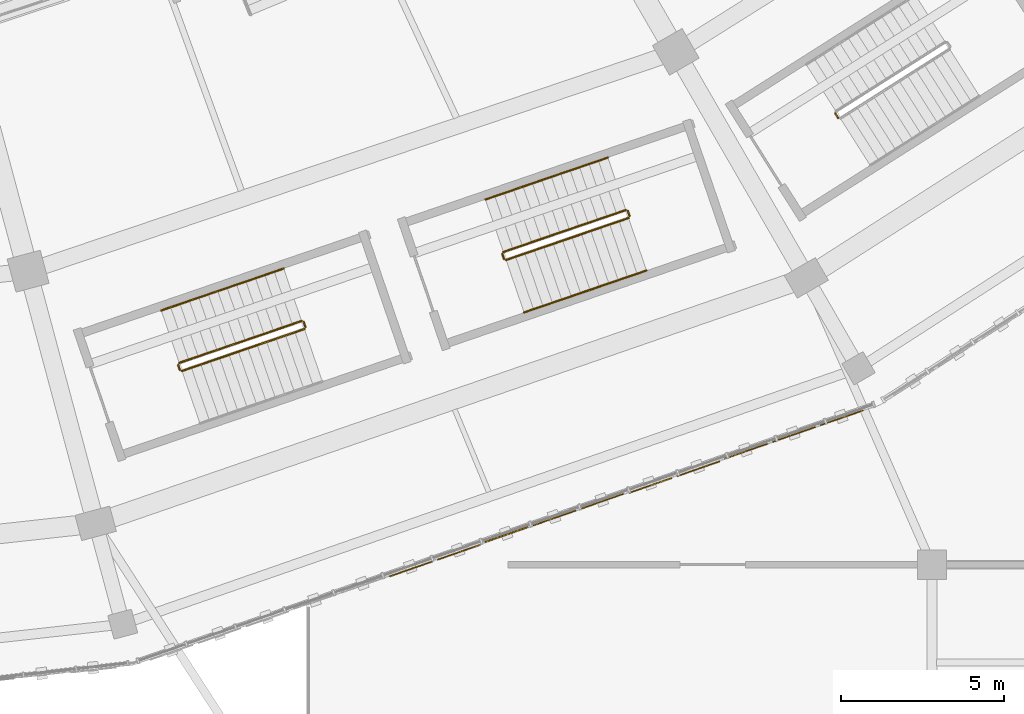
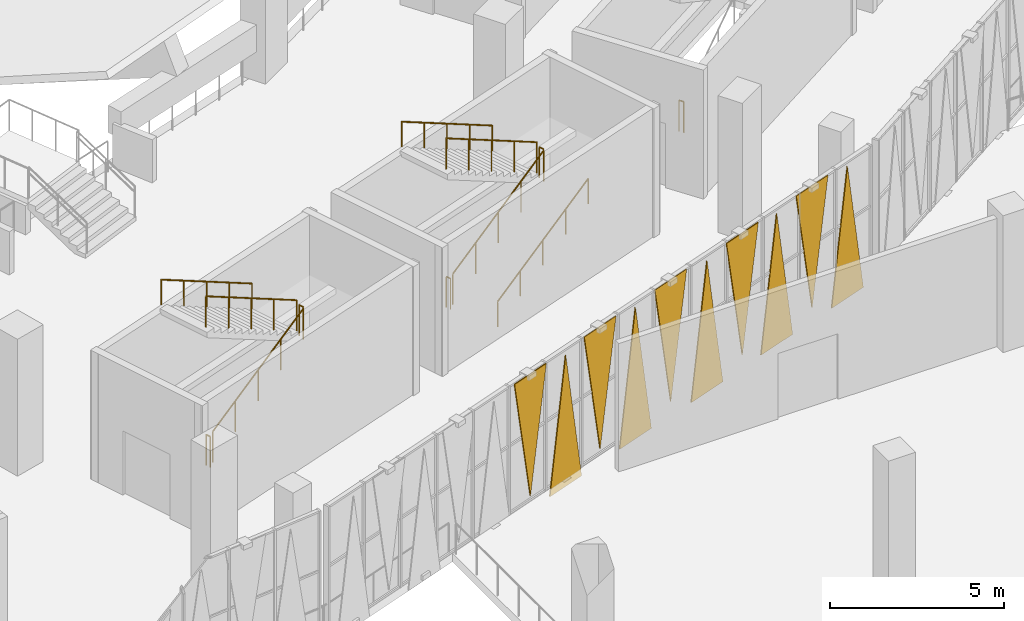
# One storey, part 144 of 183: 12 railings, 10 coverings.
"""IFC4 building model written with IfcOpenShell, lengths in metres."""

from ifc_helpers import new_model, si_unit, direction, frame, origin, origin_2d, place, context, subcontext, project, spatial, polyline, circle, outline, extrude, material, layer, layer_set, type_object, element, save


model = new_model("IFC4")

# Units and contexts
model_context = context("Model", 3, precision=1e-05, world=origin(), true_north=direction((0.0, 1.0)))
body_context = subcontext(model_context, "Body", "Model", "MODEL_VIEW")
ifc_project = project(units=[si_unit("LENGTHUNIT", "METRE"), si_unit("AREAUNIT", "SQUARE_METRE"), si_unit("VOLUMEUNIT", "CUBIC_METRE"), si_unit("PLANEANGLEUNIT", "RADIAN"), si_unit("MASSUNIT", "GRAM", prefix="KILO")], contexts=[model_context])

# Site, building, storey
site_placement = place(None, origin())
site = spatial("IfcSite", under=ifc_project, at=site_placement, CompositionType="ELEMENT")
building_placement = place(site_placement, origin())
building = spatial("IfcBuilding", under=site, at=building_placement, Name="Zevraka Park Crest Stadium", CompositionType="ELEMENT")
storey_placement = place(building_placement, frame((0.0, 0.0, 5.39990234375)))
storey = spatial("IfcBuildingStorey", under=building, at=storey_placement, Name="L01", CompositionType="ELEMENT", Elevation=5.39990234375)

# Coverings
ifc_material_1 = material(Name="Architectural golden-bronze perforated aluminium", Category="aluminium")
ifc_layer = layer(ifc_material_1, 0.034912109375)
ifc_layer_set = layer_set([ifc_layer], Name="Architectural golden-bronze perforated aluminium")
covering_type = type_object("IfcCoveringType", Name="CLD01", PredefinedType="CLADDING", material=ifc_layer_set)
covering_1_placement = place(storey_placement, frame((145.69091796875, 18.111083984375, 4.5), z_axis=(-0.329335834581, 0.94421284489, 0.000107725367), x_axis=(-0.944212850369, -0.329335836492, 0.0)))
element("IfcCovering", 1, at=covering_1_placement, inside=storey, type_object=covering_type, Name="Triangular Golden-Bronze Perforated Cladding L01-19-6", PredefinedType="CLADDING", context=body_context, shape_type="SweptSolid", body=[
    extrude(outline(polyline([(0.0, 0.0), (1.3936666592027187, 0.0), (0.696672521087447, -4.2797851810829295), (0.0, 0.0)])), origin(), (0.0, 0.0, -1.0), 0.034912109375),
])
covering_2_placement = place(storey_placement, frame((145.842041015625, 18.1640625, -0.260009765625), z_axis=(-0.329118074721, 0.944288773961, 6.5297813e-05), x_axis=(0.944288775974, 0.329118075423, 0.0)))
element("IfcCovering", 2, at=covering_2_placement, inside=storey, type_object=covering_type, Name="Triangular Golden-Bronze Perforated Cladding L01-19-7", PredefinedType="CLADDING", context=body_context, shape_type="SweptSolid", body=[
    extrude(outline(polyline([(0.0, 0.0), (1.394588779149717, 3.3881317890172014e-21), (0.6966726088857, -4.600097666056959), (0.0, 0.0)])), origin(), (0.0, 0.0, -1.0), 0.034912109375),
])
covering_3_placement = place(storey_placement, frame((148.6259765625, 19.135009765625, 4.5), z_axis=(0.329960333753, -0.943994797734, 0.0), x_axis=(-0.943994797734, -0.329960333753, 0.0)))
element("IfcCovering", 3, at=covering_3_placement, inside=storey, type_object=covering_type, Name="Triangular Golden-Bronze Perforated Cladding L01-19-8", PredefinedType="CLADDING", context=body_context, shape_type="SweptSolid", body=[
    extrude(outline(polyline([(0.0, 0.0), (1.3939885811960602, 0.0), (0.6969942905980301, 4.27978515625), (0.0, 0.0)])), origin(), (0.0, 0.0, -1.0), 0.034912109375),
])
covering_4_placement = place(storey_placement, frame((148.777099609375, 19.18701171875, -0.260009765625), z_axis=(0.329118074721, -0.944288773961, 6.5297813e-05), x_axis=(0.944288775974, 0.329118075423, 0.0)))
element("IfcCovering", 4, at=covering_4_placement, inside=storey, type_object=covering_type, Name="Triangular Golden-Bronze Perforated Cladding L01-19-9", PredefinedType="CLADDING", context=body_context, shape_type="SweptSolid", body=[
    extrude(outline(polyline([(0.0, 0.0), (1.394588779149717, 3.3881317890172014e-21), (0.697916170264017, 4.600097666056959), (0.0, 0.0)])), origin(), (0.0, 0.0, -1.0), 0.034912109375),
])
covering_5_placement = place(storey_placement, frame((151.56103515625, 20.157958984375, 4.5), z_axis=(0.329335834581, -0.94421284489, 0.000107725367), x_axis=(-0.944212850369, -0.329335836492, 0.0)))
element("IfcCovering", 5, at=covering_5_placement, inside=storey, type_object=covering_type, Name="Triangular Golden-Bronze Perforated Cladding L01-19-10", PredefinedType="CLADDING", context=body_context, shape_type="SweptSolid", body=[
    extrude(outline(polyline([(0.0, 0.0), (1.3936666592027187, 0.0), (0.6969941381152717, 4.2797851810829295), (0.0, 0.0)])), origin(), (0.0, 0.0, -1.0), 0.034912109375),
])
covering_6_placement = place(storey_placement, frame((151.712890625, 20.2109375, -0.260009765625), z_axis=(-0.329281368902, 0.944231840292, 0.000108964248), x_axis=(0.944231845897, 0.329281370856, 0.0)))
element("IfcCovering", 6, at=covering_6_placement, inside=storey, type_object=covering_type, Name="Triangular Golden-Bronze Perforated Cladding L01-19-11", PredefinedType="CLADDING", context=body_context, shape_type="SweptSolid", body=[
    extrude(outline(polyline([(0.0, 0.0), (1.3938971822371224, -6.776263578034403e-21), (0.696903071875699, -4.600097683558957), (0.0, 0.0)])), origin(), (0.0, 0.0, -1.0), 0.034912109375),
])
covering_7_placement = place(storey_placement, frame((154.4970703125, 21.180908203125, 4.5), z_axis=(-0.329063673476, 0.944307722555, 0.000154664839), x_axis=(-0.94430773385, -0.329063677412, 0.0)))
element("IfcCovering", 7, at=covering_7_placement, inside=storey, type_object=covering_type, Name="Triangular Golden-Bronze Perforated Cladding L01-19-12", PredefinedType="CLADDING", context=body_context, shape_type="SweptSolid", body=[
    extrude(outline(polyline([(0.0, 0.0), (1.3948193207160489, 0.0), (0.697825344435124, -4.279785207438826), (0.0, 0.0)])), origin(), (0.0, 0.0, -1.0), 0.034912109375),
])
covering_8_placement = place(storey_placement, frame((154.64794921875, 21.23388671875, -0.260009765625), z_axis=(0.329437513237, -0.944177370472, 0.000134017736), x_axis=(0.944177378951, 0.329437516195, 0.0)))
element("IfcCovering", 8, at=covering_8_placement, inside=storey, type_object=covering_type, Name="Triangular Golden-Bronze Perforated Cladding L01-19-13", PredefinedType="CLADDING", context=body_context, shape_type="SweptSolid", body=[
    extrude(outline(polyline([(0.0, 0.0), (1.3939775922580644, 0.0), (0.6970746128040839, 4.60009769756061), (0.0, 0.0)])), origin(), (0.0, 0.0, -1.0), 0.034912109375),
])
covering_9_placement = place(storey_placement, frame((157.431884765625, 22.205078125, 4.5), z_axis=(0.329118071949, -0.944288766008, 0.000145283153), x_axis=(-0.944288775974, -0.329118075423, 0.0)))
element("IfcCovering", 9, at=covering_9_placement, inside=storey, type_object=covering_type, Name="Triangular Golden-Bronze Perforated Cladding L01-19-14", PredefinedType="CLADDING", context=body_context, shape_type="SweptSolid", body=[
    extrude(outline(polyline([(0.0, 0.0), (1.394588779149717, 0.0), (0.6969940132562301, 4.27978520141713), (0.0, 0.0)])), origin(), (0.0, 0.0, -1.0), 0.034912109375),
])
covering_10_placement = place(storey_placement, frame((157.5830078125, 22.257080078125, -0.260009765625), z_axis=(0.329742260213, -0.944070993413, 3.5000771e-05), x_axis=(0.944070993992, 0.329742260415, 0.0)))
element("IfcCovering", 10, at=covering_10_placement, inside=storey, type_object=covering_type, Name="Triangular Golden-Bronze Perforated Cladding L01-19-15", PredefinedType="CLADDING", context=body_context, shape_type="SweptSolid", body=[
    extrude(outline(polyline([(0.0, 0.0), (1.394910488333225, 0.0), (0.6969942720015776, 4.600097659067684), (0.0, 0.0)])), origin(), (0.0, 0.0, -1.0), 0.034912109375),
])

# Railings
ifc_material_2 = material(Name="Powder-coated tubular steel stairwell guard", Category="steel")
railing_type_1 = type_object("IfcRailingType", Name="GR03", PredefinedType="GUARDRAIL", material=ifc_material_2)
railing_1_placement = place(storey_placement, frame((138.01611328125, 23.9365234375, 0.171630859375)))
element("IfcRailing", 11, at=railing_1_placement, inside=storey, type_object=railing_type_1, Name="L01 ST20 stair guard 1", PredefinedType="GUARDRAIL", context=body_context, shape_type="SweptSolid", body=[
    extrude(circle(Radius=0.02392578125, at=origin_2d()), frame((0.0, 0.0, 1.076171875), z_axis=(0.824726794133, 0.282441418206, 0.489951589772), x_axis=(-0.32399372979, 0.946059228091, 0.0)), (0.0, 0.0, 1.0), 4.54833984375),
    extrude(circle(Radius=0.02099609375, at=origin_2d()), origin(), (0.0, 0.0, 1.0), 1.052001953125),
    extrude(circle(Radius=0.02099609375, at=origin_2d()), frame((0.937744140625, 0.3212890625, 0.55712890625)), (0.0, 0.0, 1.0), 1.052001953125),
    extrude(circle(Radius=0.02099609375, at=origin_2d()), frame((1.87548828125, 0.642333984375, 1.1142578125)), (0.0, 0.0, 1.0), 1.052001953125),
    extrude(circle(Radius=0.02099609375, at=origin_2d()), frame((2.8134765625, 0.96337890625, 1.67138671875)), (0.0, 0.0, 1.0), 1.052001953125),
    extrude(circle(Radius=0.02099609375, at=origin_2d()), frame((3.751220703125, 1.28466796875, 2.228515625)), (0.0, 0.0, 1.0), 1.052001953125),
])
railing_2_placement = place(storey_placement, frame((141.798583984375, 25.28466796875, 2.400146484375)))
element("IfcRailing", 12, at=railing_2_placement, inside=storey, type_object=railing_type_1, Name="L01 ST20 stair guard 2", PredefinedType="GUARDRAIL", context=body_context, shape_type="SweptSolid", body=[
    extrude(circle(Radius=0.02392578125, at=origin_2d()), frame((0.0, 0.0, 1.076171875), z_axis=(-0.324909238665, 0.945745201748, 0.0), x_axis=(-0.945745201748, -0.324909238665, 0.0)), (0.0, 0.0, 1.0), 0.16015625),
    extrude(circle(Radius=0.02099609375, at=origin_2d()), origin(), (0.0, 0.0, 1.0), 1.052001953125),
    extrude(circle(Radius=0.02099609375, at=origin_2d()), frame((-0.052001953125, 0.1513671875, 0.0)), (0.0, 0.0, 1.0), 1.052001953125),
])
railing_3_placement = place(storey_placement, frame((141.68310546875, 25.467041015625, 2.571533203125)))
element("IfcRailing", 13, at=railing_3_placement, inside=storey, type_object=railing_type_1, Name="L01 ST20 stair guard 3", PredefinedType="GUARDRAIL", context=body_context, shape_type="SweptSolid", body=[
    extrude(circle(Radius=0.02392578125, at=origin_2d()), frame((0.0, 0.0, 1.076171875), z_axis=(-0.824739296281, -0.282392023283, 0.489959017016), x_axis=(0.323938619155, -0.946078099852, 0.0)), (0.0, 0.0, 1.0), 4.54833984375),
    extrude(circle(Radius=0.02099609375, at=origin_2d()), origin(), (0.0, 0.0, 1.0), 1.052001953125),
    extrude(circle(Radius=0.02099609375, at=origin_2d()), frame((-0.937744140625, -0.321044921875, 0.55712890625)), (0.0, 0.0, 1.0), 1.052001953125),
    extrude(circle(Radius=0.02099609375, at=origin_2d()), frame((-1.87548828125, -0.64208984375, 1.1142578125)), (0.0, 0.0, 1.0), 1.052001953125),
    extrude(circle(Radius=0.02099609375, at=origin_2d()), frame((-2.8134765625, -0.96337890625, 1.67138671875)), (0.0, 0.0, 1.0), 1.052001953125),
    extrude(circle(Radius=0.02099609375, at=origin_2d()), frame((-3.751220703125, -1.284423828125, 2.228515625)), (0.0, 0.0, 1.0), 1.052001953125),
])
railing_4_placement = place(storey_placement, frame((137.95263671875, 23.9677734375, 0.0)))
element("IfcRailing", 14, at=railing_4_placement, inside=storey, type_object=railing_type_1, Name="L01 ST20 stair guard 4", PredefinedType="GUARDRAIL", context=body_context, shape_type="SweptSolid", body=[
    extrude(circle(Radius=0.02392578125, at=origin_2d()), frame((0.0, 0.0, 1.076171875), z_axis=(-0.32354385955, 0.946213174156, 0.0), x_axis=(-0.946213174156, -0.32354385955, 0.0)), (0.0, 0.0, 1.0), 0.159912109375),
    extrude(circle(Radius=0.02099609375, at=origin_2d()), origin(), (0.0, 0.0, 1.0), 1.052001953125),
    extrude(circle(Radius=0.02099609375, at=origin_2d()), frame((-0.0517578125, 0.1513671875, 0.0)), (0.0, 0.0, 1.0), 1.052001953125),
])
railing_5_placement = place(storey_placement, frame((158.12548828125, 31.6904296875, 0.0)))
element("IfcRailing", 15, at=railing_5_placement, inside=storey, type_object=railing_type_1, Name="L01 ST21 stair guard 4", PredefinedType="GUARDRAIL", context=body_context, shape_type="SweptSolid", body=[
    extrude(circle(Radius=0.02392578125, at=origin_2d()), frame((0.0, 0.0, 1.076171875), z_axis=(-0.535887230789, 0.844289568736, 0.0), x_axis=(-0.844289568736, -0.535887230789, 0.0)), (0.0, 0.0, 1.0), 0.159912109375),
    extrude(circle(Radius=0.02099609375, at=origin_2d()), origin(), (0.0, 0.0, 1.0), 1.052001953125),
    extrude(circle(Radius=0.02099609375, at=origin_2d()), frame((-0.085693359375, 0.135009765625, 0.0)), (0.0, 0.0, 1.0), 1.052001953125),
])
railing_6_placement = place(storey_placement, frame((147.9501953125, 27.337646484375, 0.171630859375)))
element("IfcRailing", 16, at=railing_6_placement, inside=storey, type_object=railing_type_1, Name="L01 ST31 stair guard 1", PredefinedType="GUARDRAIL", context=body_context, shape_type="SweptSolid", body=[
    extrude(circle(Radius=0.02392578125, at=origin_2d()), frame((0.0, 0.0, 1.076171875), z_axis=(0.824739296281, 0.282392023283, 0.489959017016), x_axis=(-0.323938619155, 0.946078099852, 0.0)), (0.0, 0.0, 1.0), 4.54833984375),
    extrude(circle(Radius=0.02099609375, at=origin_2d()), origin(), (0.0, 0.0, 1.0), 1.052001953125),
    extrude(circle(Radius=0.02099609375, at=origin_2d()), frame((0.937744140625, 0.321044921875, 0.55712890625)), (0.0, 0.0, 1.0), 1.052001953125),
    extrude(circle(Radius=0.02099609375, at=origin_2d()), frame((1.87548828125, 0.64208984375, 1.1142578125)), (0.0, 0.0, 1.0), 1.052001953125),
    extrude(circle(Radius=0.02099609375, at=origin_2d()), frame((2.8134765625, 0.96337890625, 1.67138671875)), (0.0, 0.0, 1.0), 1.052001953125),
    extrude(circle(Radius=0.02099609375, at=origin_2d()), frame((3.751220703125, 1.284423828125, 2.228515625)), (0.0, 0.0, 1.0), 1.052001953125),
])
railing_7_placement = place(storey_placement, frame((151.732421875, 28.685546875, 2.400146484375)))
element("IfcRailing", 17, at=railing_7_placement, inside=storey, type_object=railing_type_1, Name="L01 ST31 stair guard 2", PredefinedType="GUARDRAIL", context=body_context, shape_type="SweptSolid", body=[
    extrude(circle(Radius=0.02392578125, at=origin_2d()), frame((0.0, 0.0, 1.076171875), z_axis=(-0.32354385955, 0.946213174156, 0.0), x_axis=(-0.946213174156, -0.32354385955, 0.0)), (0.0, 0.0, 1.0), 0.159912109375),
    extrude(circle(Radius=0.02099609375, at=origin_2d()), origin(), (0.0, 0.0, 1.0), 1.052001953125),
    extrude(circle(Radius=0.02099609375, at=origin_2d()), frame((-0.0517578125, 0.1513671875, 0.0)), (0.0, 0.0, 1.0), 1.052001953125),
])
railing_8_placement = place(storey_placement, frame((151.6171875, 28.8681640625, 2.571533203125)))
element("IfcRailing", 18, at=railing_8_placement, inside=storey, type_object=railing_type_1, Name="L01 ST31 stair guard 3", PredefinedType="GUARDRAIL", context=body_context, shape_type="SweptSolid", body=[
    extrude(circle(Radius=0.02392578125, at=origin_2d()), frame((0.0, 0.0, 1.076171875), z_axis=(-0.824726794133, -0.282441418206, 0.489951589772), x_axis=(0.32399372979, -0.946059228091, 0.0)), (0.0, 0.0, 1.0), 4.54833984375),
    extrude(circle(Radius=0.02099609375, at=origin_2d()), origin(), (0.0, 0.0, 1.0), 1.052001953125),
    extrude(circle(Radius=0.02099609375, at=origin_2d()), frame((-0.937744140625, -0.3212890625, 0.55712890625)), (0.0, 0.0, 1.0), 1.052001953125),
    extrude(circle(Radius=0.02099609375, at=origin_2d()), frame((-1.87548828125, -0.642333984375, 1.1142578125)), (0.0, 0.0, 1.0), 1.052001953125),
    extrude(circle(Radius=0.02099609375, at=origin_2d()), frame((-2.8134765625, -0.96337890625, 1.67138671875)), (0.0, 0.0, 1.0), 1.052001953125),
    extrude(circle(Radius=0.02099609375, at=origin_2d()), frame((-3.751220703125, -1.28466796875, 2.228515625)), (0.0, 0.0, 1.0), 1.052001953125),
])
railing_9_placement = place(storey_placement, frame((147.88671875, 27.36865234375, 0.0)))
element("IfcRailing", 19, at=railing_9_placement, inside=storey, type_object=railing_type_1, Name="L01 ST31 stair guard 4", PredefinedType="GUARDRAIL", context=body_context, shape_type="SweptSolid", body=[
    extrude(circle(Radius=0.02392578125, at=origin_2d()), frame((0.0, 0.0, 1.076171875), z_axis=(-0.32354385955, 0.946213174156, 0.0), x_axis=(-0.946213174156, -0.32354385955, 0.0)), (0.0, 0.0, 1.0), 0.159912109375),
    extrude(circle(Radius=0.02099609375, at=origin_2d()), origin(), (0.0, 0.0, 1.0), 1.052001953125),
    extrude(circle(Radius=0.02099609375, at=origin_2d()), frame((-0.0517578125, 0.1513671875, 0.0)), (0.0, 0.0, 1.0), 1.052001953125),
])
ifc_material_3 = material(Name="Brushed stainless steel continuous handrail", Category="steel")
railing_type_2 = type_object("IfcRailingType", Name="HR01", PredefinedType="HANDRAIL", material=ifc_material_3)
railing_10_placement = place(storey_placement, frame((141.13232421875, 27.075439453125, 2.571533203125)))
element("IfcRailing", 20, at=railing_10_placement, inside=storey, type_object=railing_type_2, Name="L01 ST20 stair handrail 2", PredefinedType="HANDRAIL", context=body_context, shape_type="SweptSolid", body=[
    extrude(circle(Radius=0.02392578125, at=origin_2d()), frame((0.0, 0.0, 0.8759765625), z_axis=(-0.824726794133, -0.282441418206, 0.489951589772), x_axis=(0.32399372979, -0.946059228091, 0.0)), (0.0, 0.0, 1.0), 4.54833984375),
    extrude(circle(Radius=0.02099609375, at=origin_2d()), origin(), (0.0, 0.0, 1.0), 0.851806640625),
    extrude(circle(Radius=0.02099609375, at=origin_2d()), frame((-0.937744140625, -0.3212890625, 0.55712890625)), (0.0, 0.0, 1.0), 0.851806640625),
    extrude(circle(Radius=0.02099609375, at=origin_2d()), frame((-1.87548828125, -0.642333984375, 1.1142578125)), (0.0, 0.0, 1.0), 0.851806640625),
    extrude(circle(Radius=0.02099609375, at=origin_2d()), frame((-2.8134765625, -0.96337890625, 1.67138671875)), (0.0, 0.0, 1.0), 0.851806640625),
    extrude(circle(Radius=0.02099609375, at=origin_2d()), frame((-3.751220703125, -1.28466796875, 2.228515625)), (0.0, 0.0, 1.0), 0.851806640625),
])
railing_11_placement = place(storey_placement, frame((148.5009765625, 25.729248046875, 0.171630859375)))
element("IfcRailing", 21, at=railing_11_placement, inside=storey, type_object=railing_type_2, Name="L01 ST31 stair handrail 1", PredefinedType="HANDRAIL", context=body_context, shape_type="SweptSolid", body=[
    extrude(circle(Radius=0.02392578125, at=origin_2d()), frame((0.0, 0.0, 0.8759765625), z_axis=(0.824739296281, 0.282392023283, 0.489959017016), x_axis=(-0.323938619155, 0.946078099852, 0.0)), (0.0, 0.0, 1.0), 4.54833984375),
    extrude(circle(Radius=0.02099609375, at=origin_2d()), origin(), (0.0, 0.0, 1.0), 0.851806640625),
    extrude(circle(Radius=0.02099609375, at=origin_2d()), frame((0.937744140625, 0.321044921875, 0.55712890625)), (0.0, 0.0, 1.0), 0.851806640625),
    extrude(circle(Radius=0.02099609375, at=origin_2d()), frame((1.87548828125, 0.64208984375, 1.1142578125)), (0.0, 0.0, 1.0), 0.851806640625),
    extrude(circle(Radius=0.02099609375, at=origin_2d()), frame((2.8134765625, 0.96337890625, 1.67138671875)), (0.0, 0.0, 1.0), 0.851806640625),
    extrude(circle(Radius=0.02099609375, at=origin_2d()), frame((3.751220703125, 1.284423828125, 2.228515625)), (0.0, 0.0, 1.0), 0.851806640625),
])
railing_12_placement = place(storey_placement, frame((151.06640625, 30.476318359375, 2.571533203125)))
element("IfcRailing", 22, at=railing_12_placement, inside=storey, type_object=railing_type_2, Name="L01 ST31 stair handrail 2", PredefinedType="HANDRAIL", context=body_context, shape_type="SweptSolid", body=[
    extrude(circle(Radius=0.02392578125, at=origin_2d()), frame((0.0, 0.0, 0.8759765625), z_axis=(-0.824739296281, -0.282392023283, 0.489959017016), x_axis=(0.323938619155, -0.946078099852, 0.0)), (0.0, 0.0, 1.0), 4.54833984375),
    extrude(circle(Radius=0.02099609375, at=origin_2d()), origin(), (0.0, 0.0, 1.0), 0.851806640625),
    extrude(circle(Radius=0.02099609375, at=origin_2d()), frame((-0.937744140625, -0.321044921875, 0.55712890625)), (0.0, 0.0, 1.0), 0.851806640625),
    extrude(circle(Radius=0.02099609375, at=origin_2d()), frame((-1.87548828125, -0.64208984375, 1.1142578125)), (0.0, 0.0, 1.0), 0.851806640625),
    extrude(circle(Radius=0.02099609375, at=origin_2d()), frame((-2.8134765625, -0.96337890625, 1.67138671875)), (0.0, 0.0, 1.0), 0.851806640625),
    extrude(circle(Radius=0.02099609375, at=origin_2d()), frame((-3.751220703125, -1.284423828125, 2.228515625)), (0.0, 0.0, 1.0), 0.851806640625),
])

save(model, "model.ifc")
